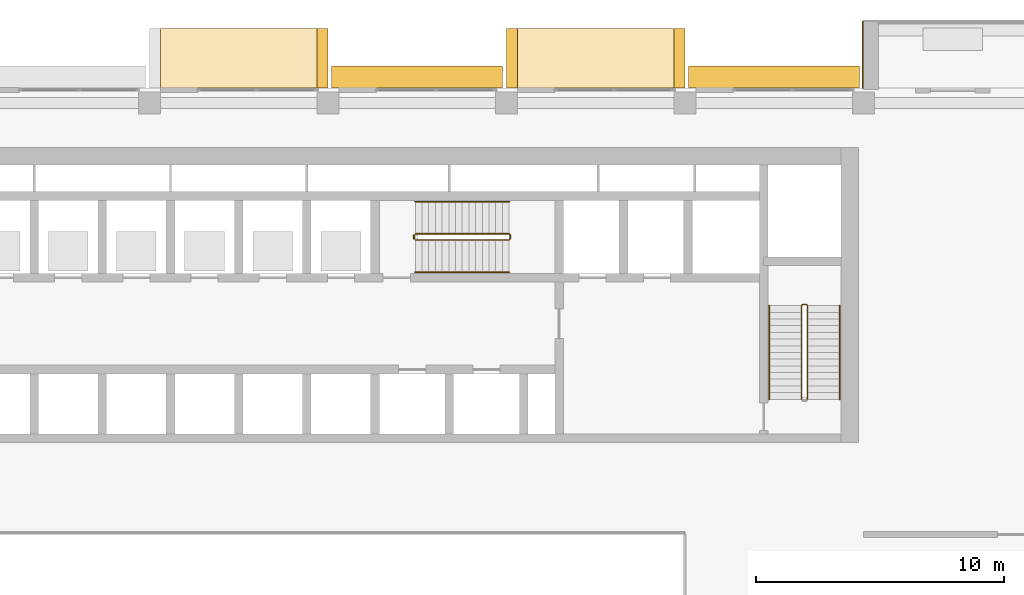
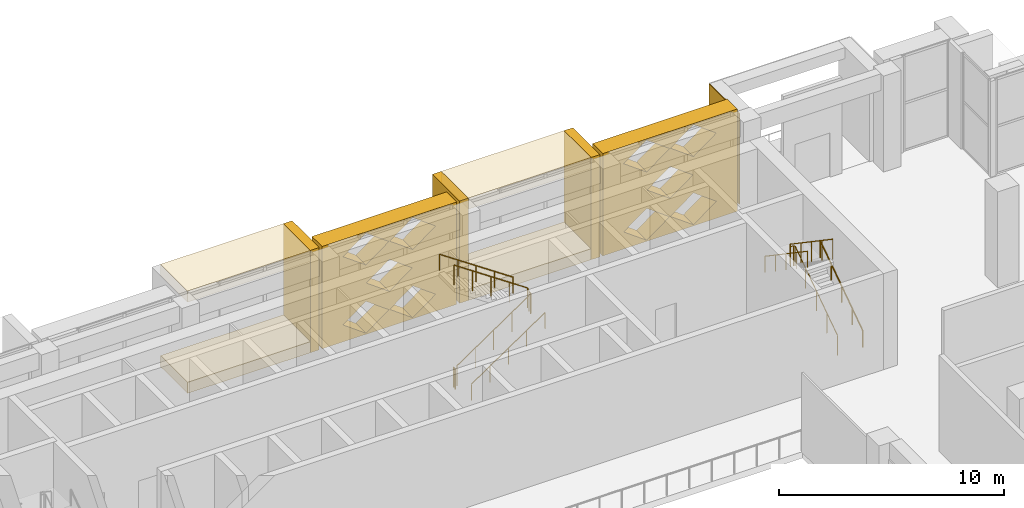
# One storey, part 23 of 25: 10 coverings, 7 railings.
"""IFC4 building model written with IfcOpenShell, lengths in metres."""

from ifc_helpers import new_model, si_unit, direction, frame, origin, origin_2d, place, context, subcontext, project, spatial, polyline, circle, outline, extrude, material, layer, layer_set, type_object, element, save


model = new_model("IFC4")

# Units and contexts
model_context = context("Model", 3, precision=1e-05, world=origin(), true_north=direction((0.0, 1.0)))
body_context = subcontext(model_context, "Body", "Model", "MODEL_VIEW")
ifc_project = project(units=[si_unit("LENGTHUNIT", "METRE"), si_unit("AREAUNIT", "SQUARE_METRE"), si_unit("VOLUMEUNIT", "CUBIC_METRE"), si_unit("PLANEANGLEUNIT", "RADIAN"), si_unit("MASSUNIT", "GRAM", prefix="KILO")], contexts=[model_context])

# Site, building, storey
site_placement = place(None, origin())
site = spatial("IfcSite", under=ifc_project, at=site_placement, CompositionType="ELEMENT")
building_placement = place(site_placement, origin())
building = spatial("IfcBuilding", under=site, at=building_placement, Name="Saffron Iwan Residences", CompositionType="ELEMENT")
storey_placement = place(building_placement, frame((0.0, 0.0, 137.5)))
storey = spatial("IfcBuildingStorey", under=building, at=storey_placement, Name="L36", CompositionType="ELEMENT", Elevation=137.5)

# Coverings
ifc_material_1 = material(Name="Precast concrete C40/50 white painted", Category="concrete")
ifc_layer = layer(ifc_material_1, 0.050048828125)
ifc_layer_set = layer_set([ifc_layer], Name="Precast concrete C40/50 white painted")
covering_type_1 = type_object("IfcCoveringType", Name="FRAME SKIN PRECAST WHITE 50", PredefinedType="CLADDING", material=ifc_layer_set)
covering_1_placement = place(storey_placement, origin())
element("IfcCovering", 1, at=covering_1_placement, inside=storey, type_object=covering_type_1, Name="Frame skin fin L36 F5-0b", PredefinedType="CLADDING", context=body_context, shape_type="SweptSolid", body=[
    extrude(outline(polyline([(72.0, 83.10009765625), (71.949951171875, 83.10009765625), (71.949951171875, 80.39990234375), (72.0, 80.39990234375), (72.0, 83.10009765625)])), origin(), (0.0, 0.0, 1.0), 4.89990234375),
])
ifc_material_2 = material(Name="Precast concrete C40/50", Category="concrete")
covering_type_2 = type_object("IfcCoveringType", Name="OUTER SKIN LATTICE SCREEN", PredefinedType="CLADDING", material=ifc_material_2)
for number, where, z_axis, x_axis, name in (
    (2, (71.85009765625, 80.39990234375, -0.35009765625), (0.0, 1.0, 0.0), (-1.0, 0.0, 0.0), "OUTER SKIN lattice screen L36 F5.1"),
    (3, (57.449951171875, 80.39990234375, -0.35009765625), (0.0, 1.0, 0.0), (-1.0, 0.0, 0.0), "OUTER SKIN lattice screen L36 F5.2"),
):
    element("IfcCovering", number, at=place(storey_placement, frame(where, z_axis=z_axis, x_axis=x_axis)), inside=storey, type_object=covering_type_2, Name=name, PredefinedType="CLADDING", context=body_context, shape_type="SweptSolid", body=[
        extrude(outline(polyline([(0.0, 0.0), (6.89990234375, 0.0), (6.89990234375, 5.550048828125), (0.0, 5.550048828125), (0.0, 0.0)]), holes=[polyline([(1.070068359375, 0.925048828125), (2.25, 0.06005859375), (3.429931640625, 0.925048828125), (2.25, 1.7900390625), (1.070068359375, 0.925048828125)]), polyline([(3.469970703125, 0.925048828125), (4.64990234375, 0.06005859375), (5.830078125, 0.925048828125), (4.64990234375, 1.7900390625), (3.469970703125, 0.925048828125)]), polyline([(2.27001953125, 2.77490234375), (3.449951171875, 1.909912109375), (4.6298828125, 2.77490234375), (3.449951171875, 3.639892578125), (2.27001953125, 2.77490234375)]), polyline([(1.070068359375, 4.625), (2.25, 3.760009765625), (3.429931640625, 4.625), (2.25, 5.489990234375), (1.070068359375, 4.625)]), polyline([(3.469970703125, 4.625), (4.64990234375, 3.760009765625), (5.830078125, 4.625), (4.64990234375, 5.489990234375), (3.469970703125, 4.625)])]), origin(), (0.0, 0.0, 1.0), 0.900146484375),
    ])

# Railings
ifc_material_3 = material(Name="Steel S355", Category="steel")
railing_type_1 = type_object("IfcRailingType", Name="Stair guard 1100", PredefinedType="GUARDRAIL", material=ifc_material_3)
railing_1_placement = place(storey_placement, frame((53.925048828125, 74.27490234375, 0.183349609375)))
element("IfcRailing", 4, at=railing_1_placement, inside=storey, type_object=railing_type_1, Name="L36 ST-C stair guard 1", PredefinedType="GUARDRAIL", context=body_context, shape_type="SweptSolid", body=[
    extrude(circle(Radius=0.02392578125, at=origin_2d()), frame((0.0, 0.0, 1.076171875), z_axis=(0.827309931321, 0.0, 0.561745741005), x_axis=(0.0, 1.0, 0.0)), (0.0, 0.0, 1.0), 4.569091796875),
    extrude(circle(Radius=0.02392578125, at=origin_2d()), frame((3.780029296875, 0.0, 3.642578125), z_axis=(0.705375805398, 0.708833529934, 0.0), x_axis=(-0.708833529934, 0.705375805398, 0.0)), (0.0, 0.0, 1.0), 0.070556640625),
    extrude(circle(Radius=0.02392578125, at=origin_2d()), frame((3.829833984375, 0.050048828125, 3.642578125), z_axis=(0.0, 1.0, 0.0), x_axis=(-1.0, 0.0, 0.0)), (0.0, 0.0, 1.0), 0.150146484375),
    extrude(circle(Radius=0.02392578125, at=origin_2d()), frame((3.829833984375, 0.2001953125, 3.642578125), z_axis=(-0.253571150612, 0.253571150612, 0.933489873086), x_axis=(-0.707106781187, -0.707106781187, 0.0)), (0.0, 0.0, 1.0), 0.196533203125),
    extrude(circle(Radius=0.02392578125, at=origin_2d()), frame((3.780029296875, 0.25, 3.826171875), z_axis=(-0.827309931321, 0.0, 0.561745741005), x_axis=(0.0, -1.0, 0.0)), (0.0, 0.0, 1.0), 4.569091796875),
    extrude(circle(Radius=0.02099609375, at=origin_2d()), origin(), (0.0, 0.0, 1.0), 1.052001953125),
    extrude(circle(Radius=0.02099609375, at=origin_2d()), frame((0.945068359375, 0.0, 0.6416015625)), (0.0, 0.0, 1.0), 1.052001953125),
    extrude(circle(Radius=0.02099609375, at=origin_2d()), frame((1.89013671875, 0.0, 1.283203125)), (0.0, 0.0, 1.0), 1.052001953125),
    extrude(circle(Radius=0.02099609375, at=origin_2d()), frame((2.8349609375, 0.0, 1.925048828125)), (0.0, 0.0, 1.0), 1.052001953125),
    extrude(circle(Radius=0.02099609375, at=origin_2d()), frame((3.780029296875, 0.0, 2.566650390625)), (0.0, 0.0, 1.0), 1.052001953125),
    extrude(circle(Radius=0.02099609375, at=origin_2d()), frame((3.829833984375, 0.050048828125, 2.566650390625)), (0.0, 0.0, 1.0), 1.052001953125),
    extrude(circle(Radius=0.02099609375, at=origin_2d()), frame((3.829833984375, 0.2001953125, 2.566650390625)), (0.0, 0.0, 1.0), 1.052001953125),
    extrude(circle(Radius=0.02099609375, at=origin_2d()), frame((3.780029296875, 0.25, 2.75)), (0.0, 0.0, 1.0), 1.052001953125),
    extrude(circle(Radius=0.02099609375, at=origin_2d()), frame((2.8349609375, 0.25, 3.3916015625)), (0.0, 0.0, 1.0), 1.052001953125),
    extrude(circle(Radius=0.02099609375, at=origin_2d()), frame((1.89013671875, 0.25, 4.033203125)), (0.0, 0.0, 1.0), 1.052001953125),
    extrude(circle(Radius=0.02099609375, at=origin_2d()), frame((0.945068359375, 0.25, 4.675048828125)), (0.0, 0.0, 1.0), 1.052001953125),
    extrude(circle(Radius=0.02099609375, at=origin_2d()), frame((0.0, 0.25, 5.316650390625)), (0.0, 0.0, 1.0), 1.052001953125),
])
railing_2_placement = place(storey_placement, frame((53.875, 74.324951171875, 0.0)))
element("IfcRailing", 5, at=railing_2_placement, inside=storey, type_object=railing_type_1, Name="L36 ST-C stair guard 2", PredefinedType="GUARDRAIL", context=body_context, shape_type="SweptSolid", body=[
    extrude(circle(Radius=0.02392578125, at=origin_2d()), frame((0.0, 0.0, 1.076171875), z_axis=(0.0, 1.0, 0.0), x_axis=(-1.0, 0.0, 0.0)), (0.0, 0.0, 1.0), 0.150146484375),
    extrude(circle(Radius=0.02099609375, at=origin_2d()), origin(), (0.0, 0.0, 1.0), 1.052001953125),
    extrude(circle(Radius=0.02099609375, at=origin_2d()), frame((0.0, 0.150146484375, 0.0)), (0.0, 0.0, 1.0), 1.052001953125),
])
railing_3_placement = place(storey_placement, frame((69.75, 67.85009765625, 0.183349609375)))
element("IfcRailing", 6, at=railing_3_placement, inside=storey, type_object=railing_type_1, Name="L36 ST-E stair guard 1", PredefinedType="GUARDRAIL", context=body_context, shape_type="SweptSolid", body=[
    extrude(circle(Radius=0.02392578125, at=origin_2d()), frame((0.0, 0.0, 1.076171875), z_axis=(0.0, 0.827293068839, 0.56177057439), x_axis=(-1.0, 0.0, 0.0)), (0.0, 0.0, 1.0), 4.56884765625),
    extrude(circle(Radius=0.02392578125, at=origin_2d()), frame((0.0, 3.77978515625, 3.642578125), z_axis=(-0.707106781187, 0.707106781187, 0.0), x_axis=(-0.707106781187, -0.707106781187, 0.0)), (0.0, 0.0, 1.0), 0.07080078125),
    extrude(circle(Radius=0.02392578125, at=origin_2d()), frame((-0.050048828125, 3.829833984375, 3.642578125), z_axis=(-1.0, 0.0, 0.0), x_axis=(0.0, -1.0, 0.0)), (0.0, 0.0, 1.0), 0.14990234375),
    extrude(circle(Radius=0.02392578125, at=origin_2d()), frame((-0.199951171875, 3.829833984375, 3.642578125), z_axis=(-0.254653276557, -0.254653276557, 0.932900539971), x_axis=(0.707106781187, -0.707106781187, 0.0)), (0.0, 0.0, 1.0), 0.196533203125),
    extrude(circle(Radius=0.02392578125, at=origin_2d()), frame((-0.25, 3.77978515625, 3.826171875), z_axis=(0.0, -0.827293068839, 0.56177057439), x_axis=(1.0, 0.0, 0.0)), (0.0, 0.0, 1.0), 4.56884765625),
    extrude(circle(Radius=0.02099609375, at=origin_2d()), origin(), (0.0, 0.0, 1.0), 1.052001953125),
    extrude(circle(Radius=0.02099609375, at=origin_2d()), frame((0.0, 0.94482421875, 0.6416015625)), (0.0, 0.0, 1.0), 1.052001953125),
    extrude(circle(Radius=0.02099609375, at=origin_2d()), frame((0.0, 1.889892578125, 1.283203125)), (0.0, 0.0, 1.0), 1.052001953125),
    extrude(circle(Radius=0.02099609375, at=origin_2d()), frame((0.0, 2.8349609375, 1.925048828125)), (0.0, 0.0, 1.0), 1.052001953125),
    extrude(circle(Radius=0.02099609375, at=origin_2d()), frame((0.0, 3.77978515625, 2.566650390625)), (0.0, 0.0, 1.0), 1.052001953125),
    extrude(circle(Radius=0.02099609375, at=origin_2d()), frame((-0.050048828125, 3.829833984375, 2.566650390625)), (0.0, 0.0, 1.0), 1.052001953125),
    extrude(circle(Radius=0.02099609375, at=origin_2d()), frame((-0.199951171875, 3.829833984375, 2.566650390625)), (0.0, 0.0, 1.0), 1.052001953125),
    extrude(circle(Radius=0.02099609375, at=origin_2d()), frame((-0.25, 3.77978515625, 2.75)), (0.0, 0.0, 1.0), 1.052001953125),
    extrude(circle(Radius=0.02099609375, at=origin_2d()), frame((-0.25, 2.8349609375, 3.3916015625)), (0.0, 0.0, 1.0), 1.052001953125),
    extrude(circle(Radius=0.02099609375, at=origin_2d()), frame((-0.25, 1.889892578125, 4.033203125)), (0.0, 0.0, 1.0), 1.052001953125),
    extrude(circle(Radius=0.02099609375, at=origin_2d()), frame((-0.25, 0.94482421875, 4.675048828125)), (0.0, 0.0, 1.0), 1.052001953125),
    extrude(circle(Radius=0.02099609375, at=origin_2d()), frame((-0.25, 0.0, 5.316650390625)), (0.0, 0.0, 1.0), 1.052001953125),
])
ifc_material_4 = material(Name="Stainless steel 316", Category="steel")
railing_type_2 = type_object("IfcRailingType", Name="Stair handrail 900", PredefinedType="HANDRAIL", material=ifc_material_4)
railing_4_placement = place(storey_placement, frame((53.925048828125, 72.97509765625, 0.183349609375)))
element("IfcRailing", 7, at=railing_4_placement, inside=storey, type_object=railing_type_2, Name="L36 ST-C stair handrail 1", PredefinedType="HANDRAIL", context=body_context, shape_type="SweptSolid", body=[
    extrude(circle(Radius=0.02392578125, at=origin_2d()), frame((0.0, 0.0, 0.8759765625), z_axis=(0.827309931321, 0.0, 0.561745741005), x_axis=(0.0, 1.0, 0.0)), (0.0, 0.0, 1.0), 4.569091796875),
    extrude(circle(Radius=0.02099609375, at=origin_2d()), origin(), (0.0, 0.0, 1.0), 0.851806640625),
    extrude(circle(Radius=0.02099609375, at=origin_2d()), frame((0.945068359375, 0.0, 0.6416015625)), (0.0, 0.0, 1.0), 0.851806640625),
    extrude(circle(Radius=0.02099609375, at=origin_2d()), frame((1.89013671875, 0.0, 1.283203125)), (0.0, 0.0, 1.0), 0.851806640625),
    extrude(circle(Radius=0.02099609375, at=origin_2d()), frame((2.8349609375, 0.0, 1.925048828125)), (0.0, 0.0, 1.0), 0.851806640625),
    extrude(circle(Radius=0.02099609375, at=origin_2d()), frame((3.780029296875, 0.0, 2.566650390625)), (0.0, 0.0, 1.0), 0.851806640625),
])
railing_5_placement = place(storey_placement, frame((57.705078125, 75.824951171875, 2.933349609375)))
element("IfcRailing", 8, at=railing_5_placement, inside=storey, type_object=railing_type_2, Name="L36 ST-C stair handrail 2", PredefinedType="HANDRAIL", context=body_context, shape_type="SweptSolid", body=[
    extrude(circle(Radius=0.02392578125, at=origin_2d()), frame((0.0, 0.0, 0.8759765625), z_axis=(-0.827309931321, 0.0, 0.561745741005), x_axis=(0.0, -1.0, 0.0)), (0.0, 0.0, 1.0), 4.569091796875),
    extrude(circle(Radius=0.02099609375, at=origin_2d()), origin(), (0.0, 0.0, 1.0), 0.851806640625),
    extrude(circle(Radius=0.02099609375, at=origin_2d()), frame((-0.945068359375, 0.0, 0.6416015625)), (0.0, 0.0, 1.0), 0.851806640625),
    extrude(circle(Radius=0.02099609375, at=origin_2d()), frame((-1.89013671875, 0.0, 1.283203125)), (0.0, 0.0, 1.0), 0.851806640625),
    extrude(circle(Radius=0.02099609375, at=origin_2d()), frame((-2.8349609375, 0.0, 1.925048828125)), (0.0, 0.0, 1.0), 0.851806640625),
    extrude(circle(Radius=0.02099609375, at=origin_2d()), frame((-3.780029296875, 0.0, 2.566650390625)), (0.0, 0.0, 1.0), 0.851806640625),
])
railing_6_placement = place(storey_placement, frame((71.050048828125, 67.85009765625, 0.183349609375)))
element("IfcRailing", 9, at=railing_6_placement, inside=storey, type_object=railing_type_2, Name="L36 ST-E stair handrail 1", PredefinedType="HANDRAIL", context=body_context, shape_type="SweptSolid", body=[
    extrude(circle(Radius=0.02392578125, at=origin_2d()), frame((0.0, 0.0, 0.8759765625), z_axis=(0.0, 0.827293068839, 0.56177057439), x_axis=(-1.0, 0.0, 0.0)), (0.0, 0.0, 1.0), 4.56884765625),
    extrude(circle(Radius=0.02099609375, at=origin_2d()), origin(), (0.0, 0.0, 1.0), 0.851806640625),
    extrude(circle(Radius=0.02099609375, at=origin_2d()), frame((0.0, 0.94482421875, 0.6416015625)), (0.0, 0.0, 1.0), 0.851806640625),
    extrude(circle(Radius=0.02099609375, at=origin_2d()), frame((0.0, 1.889892578125, 1.283203125)), (0.0, 0.0, 1.0), 0.851806640625),
    extrude(circle(Radius=0.02099609375, at=origin_2d()), frame((0.0, 2.8349609375, 1.925048828125)), (0.0, 0.0, 1.0), 0.851806640625),
    extrude(circle(Radius=0.02099609375, at=origin_2d()), frame((0.0, 3.77978515625, 2.566650390625)), (0.0, 0.0, 1.0), 0.851806640625),
])
railing_7_placement = place(storey_placement, frame((68.199951171875, 71.6298828125, 2.933349609375)))
element("IfcRailing", 10, at=railing_7_placement, inside=storey, type_object=railing_type_2, Name="L36 ST-E stair handrail 2", PredefinedType="HANDRAIL", context=body_context, shape_type="SweptSolid", body=[
    extrude(circle(Radius=0.02392578125, at=origin_2d()), frame((0.0, 0.0, 0.8759765625), z_axis=(0.0, -0.827293068839, 0.56177057439), x_axis=(1.0, 0.0, 0.0)), (0.0, 0.0, 1.0), 4.56884765625),
    extrude(circle(Radius=0.02099609375, at=origin_2d()), origin(), (0.0, 0.0, 1.0), 0.851806640625),
    extrude(circle(Radius=0.02099609375, at=origin_2d()), frame((0.0, -0.94482421875, 0.6416015625)), (0.0, 0.0, 1.0), 0.851806640625),
    extrude(circle(Radius=0.02099609375, at=origin_2d()), frame((0.0, -1.889892578125, 1.283203125)), (0.0, 0.0, 1.0), 0.851806640625),
    extrude(circle(Radius=0.02099609375, at=origin_2d()), frame((0.0, -2.8349609375, 1.925048828125)), (0.0, 0.0, 1.0), 0.851806640625),
    extrude(circle(Radius=0.02099609375, at=origin_2d()), frame((0.0, -3.77978515625, 2.566650390625)), (0.0, 0.0, 1.0), 0.851806640625),
])

# Coverings
covering_type_3 = type_object("IfcCoveringType", Name="WHITE SUN FRAME PRECAST", PredefinedType="CLADDING", material=ifc_material_1)
for number, where, z_axis, x_axis, name in (
    (11, (64.800048828125, 80.39990234375, -0.35009765625), (0.0, 1.0, 0.0), (-1.0, 0.0, 0.0), "Sun frame L36 F5 18.0a"),
    (12, (58.050048828125, 80.39990234375, -0.35009765625), (0.0, 1.0, 0.0), (-1.0, 0.0, 0.0), "Sun frame L36 F5 18.0b"),
):
    element("IfcCovering", number, at=place(storey_placement, frame(where, z_axis=z_axis, x_axis=x_axis)), inside=storey, type_object=covering_type_3, Name=name, PredefinedType="CLADDING", context=body_context, shape_type="SweptSolid", body=[
        extrude(outline(polyline([(0.0, 0.0), (0.449951171875, 0.0), (0.449951171875, 5.550048828125), (0.0, 5.550048828125), (0.0, 0.0)])), origin(), (0.0, 0.0, 1.0), 2.400146484375),
    ])
for number, where, z_axis, x_axis, name in (
    (13, (64.35009765625, 80.39990234375, 4.60009765625), (0.0, 1.0, 0.0), (-1.0, 0.0, 0.0), "Sun frame L36 F5 18.0h"),
    (14, (64.35009765625, 80.39990234375, -0.35009765625), (0.0, 1.0, 0.0), (-1.0, 0.0, 0.0), "Sun frame L36 F5 18.0s"),
):
    element("IfcCovering", number, at=place(storey_placement, frame(where, z_axis=z_axis, x_axis=x_axis)), inside=storey, type_object=covering_type_3, Name=name, PredefinedType="CLADDING", context=body_context, shape_type="SweptSolid", body=[
        extrude(outline(polyline([(0.0, 0.0), (6.300048828125, 0.0), (6.300048828125, 0.60009765625), (0.0, 0.60009765625), (0.0, 0.0)])), origin(), (0.0, 0.0, 1.0), 2.400146484375),
    ])
covering_2_placement = place(storey_placement, frame((50.39990234375, 80.39990234375, -0.35009765625), z_axis=(0.0, 1.0, 0.0), x_axis=(-1.0, 0.0, 0.0)))
element("IfcCovering", 15, at=covering_2_placement, inside=storey, type_object=covering_type_3, Name="Sun frame L36 F5 32.4a", PredefinedType="CLADDING", context=body_context, shape_type="SweptSolid", body=[
    extrude(outline(polyline([(0.0, 0.0), (0.449951171875, 0.0), (0.449951171875, 5.550048828125), (0.0, 5.550048828125), (0.0, 0.0)])), origin(), (0.0, 0.0, 1.0), 2.400146484375),
])
for number, where, z_axis, x_axis, name in (
    (16, (49.949951171875, 80.39990234375, 4.60009765625), (0.0, 1.0, 0.0), (-1.0, 0.0, 0.0), "Sun frame L36 F5 32.4h"),
    (17, (49.949951171875, 80.39990234375, -0.35009765625), (0.0, 1.0, 0.0), (-1.0, 0.0, 0.0), "Sun frame L36 F5 32.4s"),
):
    element("IfcCovering", number, at=place(storey_placement, frame(where, z_axis=z_axis, x_axis=x_axis)), inside=storey, type_object=covering_type_3, Name=name, PredefinedType="CLADDING", context=body_context, shape_type="SweptSolid", body=[
        extrude(outline(polyline([(0.0, 0.0), (6.300048828125, 0.0), (6.300048828125, 0.60009765625), (0.0, 0.60009765625), (0.0, 0.0)])), origin(), (0.0, 0.0, 1.0), 2.400146484375),
    ])

save(model, "model.ifc")
